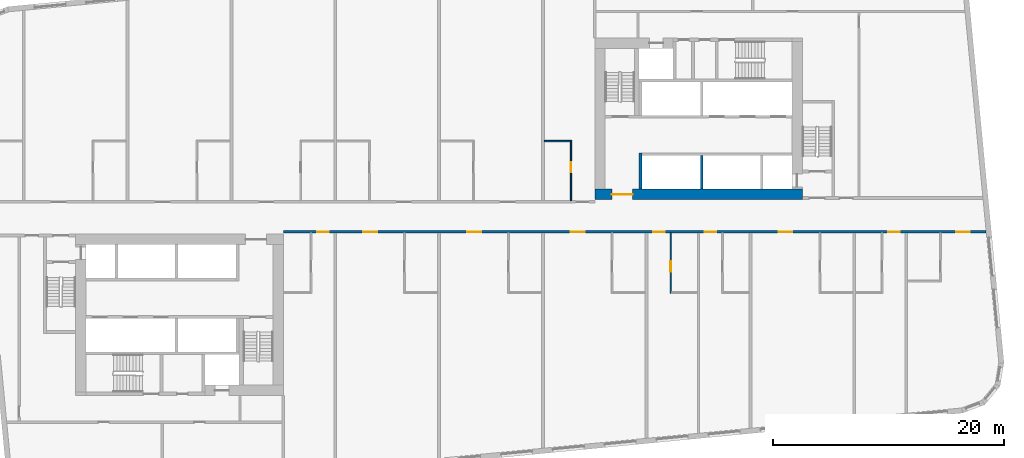
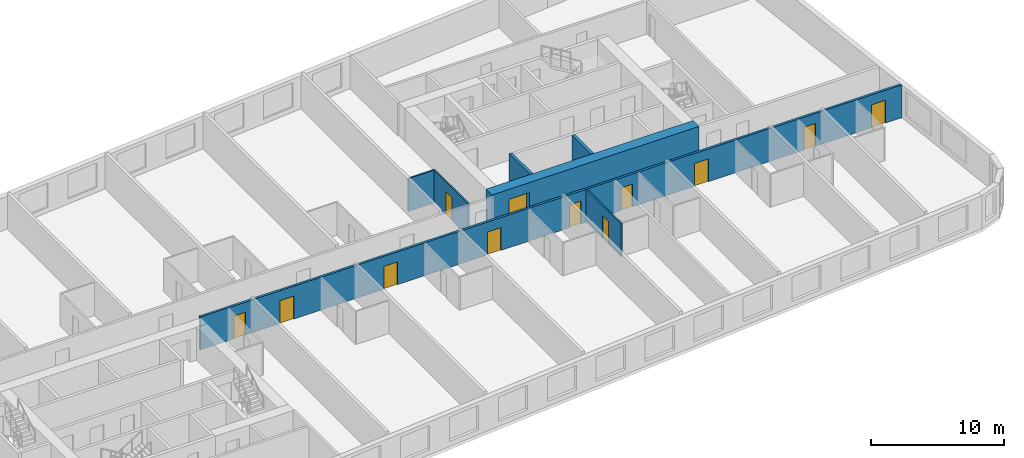
# One storey, part 5 of 12: 12 doors, 7 walls, 12 openings.
"""IFC4 building model written with IfcOpenShell, lengths in metres."""

from ifc_helpers import new_model, si_unit, direction, frame, frame_2d, origin, place, context, subcontext, project, spatial, rectangle, extrude, material, layer, layer_set, type_object, element, fill, save


model = new_model("IFC4")

# Units and contexts
model_context = context("Model", 3, precision=1e-05, world=origin(), true_north=direction((0.0, 1.0)))
body_context = subcontext(model_context, "Body", "Model", "MODEL_VIEW")
ifc_project = project(units=[si_unit("LENGTHUNIT", "METRE"), si_unit("AREAUNIT", "SQUARE_METRE"), si_unit("VOLUMEUNIT", "CUBIC_METRE"), si_unit("PLANEANGLEUNIT", "RADIAN"), si_unit("MASSUNIT", "GRAM", prefix="KILO")], contexts=[model_context])

# Site, building, storey
site_placement = place(None, origin())
site = spatial("IfcSite", under=ifc_project, at=site_placement, CompositionType="ELEMENT")
building_placement = place(site_placement, origin())
building = spatial("IfcBuilding", under=site, at=building_placement, Name="Kajstack Hotel Tower", CompositionType="ELEMENT")
storey_placement = place(building_placement, frame((0.0, 0.0, 143.800048828125)))
storey = spatial("IfcBuildingStorey", under=building, at=storey_placement, Name="L33", CompositionType="ELEMENT", Elevation=143.800048828125)

# Wall, opening, door
ifc_material_1 = material(Name="Concrete C60/75", Category="concrete")
ifc_layer_1 = layer(ifc_material_1, 0.89990234375)
ifc_layer_set_1 = layer_set([ifc_layer_1], Name="Core wall 900")
wall_type_1 = type_object("IfcWallType", Name="Core wall 900", PredefinedType="SHEAR", material=ifc_layer_set_1)
wall_1_placement = place(storey_placement, frame((13.5, 1.949951171875, 0.0), z_axis=(0.0, 0.0, 1.0), x_axis=(1.0, 0.0, 0.0)))
wall_1 = element("IfcWall", 1, at=wall_1_placement, inside=storey, type_object=wall_type_1, Name="Core wall E RN", PredefinedType="SHEAR", context=body_context, shape_type="SweptSolid", body=[
    extrude(rectangle(XDim=18.0, YDim=0.89990234375, at=frame_2d((9.0, 0.0))), origin(), (0.0, 0.0, 1.0), 3.02001953125),
])
opening_1_placement = place(wall_1_placement, frame((1.47509765625, 0.0, 0.0)))
opening_1 = element("IfcOpeningElement", 2, at=opening_1_placement, cuts=wall_1, Name="Opening 33E06", PredefinedType="OPENING", context=body_context, shape_type="SweptSolid", body=[
    extrude(rectangle(XDim=1.800048828125, YDim=2.10009765625, at=frame_2d((0.89990234375, 1.050048828125))), frame((0.0, 0.4599609375, 0.0), z_axis=(0.0, -1.0, 0.0), x_axis=(1.0, 0.0, 0.0)), (0.0, 0.0, 1.0), 0.919921875),
])
ifc_material_2 = material(Name="Glazed steel frame, fire-rated glass", Category="steel")
door_type_1 = type_object("IfcDoorType", Name="Lobby double door 1800", OperationType="DOUBLE_DOOR_DOUBLE_SWING", PredefinedType="DOOR", material=ifc_material_2)
door_1_placement = place(opening_1_placement, origin())
door_1 = element("IfcDoor", 3, at=door_1_placement, inside=storey, type_object=door_type_1, Name="Door 33E06", OperationType="DOUBLE_DOOR_DOUBLE_SWING", OverallHeight=2.10009765625, OverallWidth=1.800048828125, PredefinedType="DOOR", context=body_context, shape_type="SweptSolid", body=[
    extrude(rectangle(XDim=1.800048828125, YDim=2.10009765625, at=frame_2d((0.89990234375, 1.050048828125))), frame((0.0, 0.02490234375, 0.0), z_axis=(0.0, -1.0, 0.0), x_axis=(1.0, 0.0, 0.0)), (0.0, 0.0, 1.0), 0.050048828125),
])
fill(opening_1, door_1)

# Wall, openings, doors
ifc_material_3 = material(Name="Gypsum board on steel studs, mineral wool", Category="steel")
ifc_layer_2 = layer(ifc_material_3, 0.199951171875)
ifc_layer_set_2 = layer_set([ifc_layer_2], Name="Corridor wall 200")
wall_type_2 = type_object("IfcWallType", Name="Corridor wall 200", PredefinedType="PARTITIONING", material=ifc_layer_set_2)
wall_2_placement = place(storey_placement, frame((-13.5, -1.300048828125, 0.0), z_axis=(0.0, 0.0, 1.0), x_axis=(1.0, 0.0, 0.0)))
wall_2 = element("IfcWall", 4, at=wall_2_placement, inside=storey, type_object=wall_type_2, Name="G-wall-L33-018", PredefinedType="PARTITIONING", context=body_context, shape_type="SweptSolid", body=[
    extrude(rectangle(XDim=60.931884765625, YDim=0.199951171875, at=frame_2d((30.4658203125, 0.0))), origin(), (0.0, 0.0, 1.0), 3.02001953125),
])
opening_2_placement = place(wall_2_placement, frame((2.925048828125, 0.0, 0.0)))
opening_2 = element("IfcOpeningElement", 5, at=opening_2_placement, cuts=wall_2, Name="Opening 33015", PredefinedType="OPENING", context=body_context, shape_type="SweptSolid", body=[
    extrude(rectangle(XDim=1.0, YDim=2.10009765625, at=frame_2d((0.5, 1.050048828125))), frame((0.0, 0.10986328125, 0.0), z_axis=(0.0, -1.0, 0.0), x_axis=(1.0, 0.0, 0.0)), (0.0, 0.0, 1.0), 0.219970703125),
])
opening_3_placement = place(wall_2_placement, frame((6.93798828125, 0.0, 0.0)))
opening_3 = element("IfcOpeningElement", 6, at=opening_3_placement, cuts=wall_2, Name="Opening 33017", PredefinedType="OPENING", context=body_context, shape_type="SweptSolid", body=[
    extrude(rectangle(XDim=1.199951171875, YDim=2.10009765625, at=frame_2d((0.60009765625, 1.050048828125))), frame((0.0, 0.10986328125, 0.0), z_axis=(0.0, -1.0, 0.0), x_axis=(1.0, 0.0, 0.0)), (0.0, 0.0, 1.0), 0.219970703125),
])
opening_4_placement = place(wall_2_placement, frame((15.93798828125, 0.0, 0.0)))
opening_4 = element("IfcOpeningElement", 7, at=opening_4_placement, cuts=wall_2, Name="Opening 33019", PredefinedType="OPENING", context=body_context, shape_type="SweptSolid", body=[
    extrude(rectangle(XDim=1.199951171875, YDim=2.10009765625, at=frame_2d((0.60009765625, 1.050048828125))), frame((0.0, 0.10986328125, 0.0), z_axis=(0.0, -1.0, 0.0), x_axis=(1.0, 0.0, 0.0)), (0.0, 0.0, 1.0), 0.219970703125),
])
opening_5_placement = place(wall_2_placement, frame((24.93798828125, 0.0, 0.0)))
opening_5 = element("IfcOpeningElement", 8, at=opening_5_placement, cuts=wall_2, Name="Opening 33021", PredefinedType="OPENING", context=body_context, shape_type="SweptSolid", body=[
    extrude(rectangle(XDim=1.199951171875, YDim=2.10009765625, at=frame_2d((0.60009765625, 1.050048828125))), frame((0.0, 0.10986328125, 0.0), z_axis=(0.0, -1.0, 0.0), x_axis=(1.0, 0.0, 0.0)), (0.0, 0.0, 1.0), 0.219970703125),
])
opening_6_placement = place(wall_2_placement, frame((32.074951171875, 0.0, 0.0)))
opening_6 = element("IfcOpeningElement", 9, at=opening_6_placement, cuts=wall_2, Name="Opening 33023", PredefinedType="OPENING", context=body_context, shape_type="SweptSolid", body=[
    extrude(rectangle(XDim=1.0, YDim=2.10009765625, at=frame_2d((0.5, 1.050048828125))), frame((0.0, 0.10986328125, 0.0), z_axis=(0.0, -1.0, 0.0), x_axis=(1.0, 0.0, 0.0)), (0.0, 0.0, 1.0), 0.219970703125),
])
opening_7_placement = place(wall_2_placement, frame((36.550048828125, 0.0, 0.0)))
opening_7 = element("IfcOpeningElement", 10, at=opening_7_placement, cuts=wall_2, Name="Opening 33025", PredefinedType="OPENING", context=body_context, shape_type="SweptSolid", body=[
    extrude(rectangle(XDim=1.0, YDim=2.10009765625, at=frame_2d((0.5, 1.050048828125))), frame((0.0, 0.10986328125, 0.0), z_axis=(0.0, -1.0, 0.0), x_axis=(1.0, 0.0, 0.0)), (0.0, 0.0, 1.0), 0.219970703125),
])
opening_8_placement = place(wall_2_placement, frame((42.93798828125, 0.0, 0.0)))
opening_8 = element("IfcOpeningElement", 11, at=opening_8_placement, cuts=wall_2, Name="Opening 33027", PredefinedType="OPENING", context=body_context, shape_type="SweptSolid", body=[
    extrude(rectangle(XDim=1.199951171875, YDim=2.10009765625, at=frame_2d((0.60009765625, 1.050048828125))), frame((0.0, 0.10986328125, 0.0), z_axis=(0.0, -1.0, 0.0), x_axis=(1.0, 0.0, 0.0)), (0.0, 0.0, 1.0), 0.219970703125),
])
opening_9_placement = place(wall_2_placement, frame((52.425048828125, 0.0, 0.0)))
opening_9 = element("IfcOpeningElement", 12, at=opening_9_placement, cuts=wall_2, Name="Opening 33029", PredefinedType="OPENING", context=body_context, shape_type="SweptSolid", body=[
    extrude(rectangle(XDim=1.0, YDim=2.10009765625, at=frame_2d((0.5, 1.050048828125))), frame((0.0, 0.10986328125, 0.0), z_axis=(0.0, -1.0, 0.0), x_axis=(1.0, 0.0, 0.0)), (0.0, 0.0, 1.0), 0.219970703125),
])
opening_10_placement = place(wall_2_placement, frame((58.31591796875, 0.0, 0.0)))
opening_10 = element("IfcOpeningElement", 13, at=opening_10_placement, cuts=wall_2, Name="Opening 33031", PredefinedType="OPENING", context=body_context, shape_type="SweptSolid", body=[
    extrude(rectangle(XDim=1.199951171875, YDim=2.10009765625, at=frame_2d((0.60009765625, 1.050048828125))), frame((0.0, 0.10986328125, 0.0), z_axis=(0.0, -1.0, 0.0), x_axis=(1.0, 0.0, 0.0)), (0.0, 0.0, 1.0), 0.219970703125),
])
ifc_material_4 = material(Name="Oak veneer on timber core, fire-rated leaf", Category="wood")
door_type_2 = type_object("IfcDoorType", Name="Flat entrance door 1000", OperationType="SINGLE_SWING_LEFT", PredefinedType="DOOR", material=ifc_material_4)
door_2_placement = place(opening_2_placement, origin())
door_2 = element("IfcDoor", 14, at=door_2_placement, inside=storey, type_object=door_type_2, Name="G-door-L33-15", OperationType="SINGLE_SWING_RIGHT", OverallHeight=2.10009765625, OverallWidth=1.0, PredefinedType="DOOR", context=body_context, shape_type="SweptSolid", body=[
    extrude(rectangle(XDim=1.0, YDim=2.10009765625, at=frame_2d((0.5, 1.050048828125))), frame((0.0, 0.02490234375, 0.0), z_axis=(0.0, -1.0, 0.0), x_axis=(1.0, 0.0, 0.0)), (0.0, 0.0, 1.0), 0.050048828125),
])
fill(opening_2, door_2)
door_3_placement = place(opening_6_placement, origin())
door_3 = element("IfcDoor", 15, at=door_3_placement, inside=storey, type_object=door_type_2, Name="G-door-L33-23", OperationType="SINGLE_SWING_RIGHT", OverallHeight=2.10009765625, OverallWidth=1.0, PredefinedType="DOOR", context=body_context, shape_type="SweptSolid", body=[
    extrude(rectangle(XDim=1.0, YDim=2.10009765625, at=frame_2d((0.5, 1.050048828125))), frame((0.0, 0.02490234375, 0.0), z_axis=(0.0, -1.0, 0.0), x_axis=(1.0, 0.0, 0.0)), (0.0, 0.0, 1.0), 0.050048828125),
])
fill(opening_6, door_3)
door_4_placement = place(opening_7_placement, origin())
door_4 = element("IfcDoor", 16, at=door_4_placement, inside=storey, type_object=door_type_2, Name="G-door-L33-25", OperationType="SINGLE_SWING_RIGHT", OverallHeight=2.10009765625, OverallWidth=1.0, PredefinedType="DOOR", context=body_context, shape_type="SweptSolid", body=[
    extrude(rectangle(XDim=1.0, YDim=2.10009765625, at=frame_2d((0.5, 1.050048828125))), frame((0.0, 0.02490234375, 0.0), z_axis=(0.0, -1.0, 0.0), x_axis=(1.0, 0.0, 0.0)), (0.0, 0.0, 1.0), 0.050048828125),
])
fill(opening_7, door_4)
door_5_placement = place(opening_9_placement, origin())
door_5 = element("IfcDoor", 17, at=door_5_placement, inside=storey, type_object=door_type_2, Name="G-door-L33-29", OperationType="SINGLE_SWING_RIGHT", OverallHeight=2.10009765625, OverallWidth=1.0, PredefinedType="DOOR", context=body_context, shape_type="SweptSolid", body=[
    extrude(rectangle(XDim=1.0, YDim=2.10009765625, at=frame_2d((0.5, 1.050048828125))), frame((0.0, 0.02490234375, 0.0), z_axis=(0.0, -1.0, 0.0), x_axis=(1.0, 0.0, 0.0)), (0.0, 0.0, 1.0), 0.050048828125),
])
fill(opening_9, door_5)
door_type_3 = type_object("IfcDoorType", Name="Flat entrance door 1200", OperationType="SINGLE_SWING_LEFT", PredefinedType="DOOR", material=ifc_material_4)
door_6_placement = place(opening_3_placement, origin())
door_6 = element("IfcDoor", 18, at=door_6_placement, inside=storey, type_object=door_type_3, Name="G-door-L33-17", OperationType="SINGLE_SWING_RIGHT", OverallHeight=2.10009765625, OverallWidth=1.199951171875, PredefinedType="DOOR", context=body_context, shape_type="SweptSolid", body=[
    extrude(rectangle(XDim=1.199951171875, YDim=2.10009765625, at=frame_2d((0.60009765625, 1.050048828125))), frame((0.0, 0.02490234375, 0.0), z_axis=(0.0, -1.0, 0.0), x_axis=(1.0, 0.0, 0.0)), (0.0, 0.0, 1.0), 0.050048828125),
])
fill(opening_3, door_6)
door_7_placement = place(opening_4_placement, origin())
door_7 = element("IfcDoor", 19, at=door_7_placement, inside=storey, type_object=door_type_3, Name="G-door-L33-19", OperationType="SINGLE_SWING_RIGHT", OverallHeight=2.10009765625, OverallWidth=1.199951171875, PredefinedType="DOOR", context=body_context, shape_type="SweptSolid", body=[
    extrude(rectangle(XDim=1.199951171875, YDim=2.10009765625, at=frame_2d((0.60009765625, 1.050048828125))), frame((0.0, 0.02490234375, 0.0), z_axis=(0.0, -1.0, 0.0), x_axis=(1.0, 0.0, 0.0)), (0.0, 0.0, 1.0), 0.050048828125),
])
fill(opening_4, door_7)
door_8_placement = place(opening_5_placement, origin())
door_8 = element("IfcDoor", 20, at=door_8_placement, inside=storey, type_object=door_type_3, Name="G-door-L33-21", OperationType="SINGLE_SWING_RIGHT", OverallHeight=2.10009765625, OverallWidth=1.199951171875, PredefinedType="DOOR", context=body_context, shape_type="SweptSolid", body=[
    extrude(rectangle(XDim=1.199951171875, YDim=2.10009765625, at=frame_2d((0.60009765625, 1.050048828125))), frame((0.0, 0.02490234375, 0.0), z_axis=(0.0, -1.0, 0.0), x_axis=(1.0, 0.0, 0.0)), (0.0, 0.0, 1.0), 0.050048828125),
])
fill(opening_5, door_8)
door_9_placement = place(opening_8_placement, origin())
door_9 = element("IfcDoor", 21, at=door_9_placement, inside=storey, type_object=door_type_3, Name="G-door-L33-27", OperationType="SINGLE_SWING_LEFT", OverallHeight=2.10009765625, OverallWidth=1.199951171875, PredefinedType="DOOR", context=body_context, shape_type="SweptSolid", body=[
    extrude(rectangle(XDim=1.199951171875, YDim=2.10009765625, at=frame_2d((0.60009765625, 1.050048828125))), frame((0.0, 0.02490234375, 0.0), z_axis=(0.0, -1.0, 0.0), x_axis=(1.0, 0.0, 0.0)), (0.0, 0.0, 1.0), 0.050048828125),
])
fill(opening_8, door_9)
door_10_placement = place(opening_10_placement, origin())
door_10 = element("IfcDoor", 22, at=door_10_placement, inside=storey, type_object=door_type_3, Name="G-door-L33-31", OperationType="SINGLE_SWING_LEFT", OverallHeight=2.10009765625, OverallWidth=1.199951171875, PredefinedType="DOOR", context=body_context, shape_type="SweptSolid", body=[
    extrude(rectangle(XDim=1.199951171875, YDim=2.10009765625, at=frame_2d((0.60009765625, 1.050048828125))), frame((0.0, 0.02490234375, 0.0), z_axis=(0.0, -1.0, 0.0), x_axis=(1.0, 0.0, 0.0)), (0.0, 0.0, 1.0), 0.050048828125),
])
fill(opening_10, door_10)

# Wall, opening, door
ifc_material_5 = material(Name="Gypsum board and tiled backer on steel studs", Category="steel")
ifc_layer_3 = layer(ifc_material_5, 0.125)
ifc_layer_set_3 = layer_set([ifc_layer_3], Name="En-suite wall 125")
wall_type_3 = type_object("IfcWallType", Name="En-suite wall 125", PredefinedType="PARTITIONING", material=ifc_layer_set_3)
wall_3_placement = place(storey_placement, frame((11.43798828125, 1.39990234375, 0.0), z_axis=(0.0, 0.0, 1.0), x_axis=(0.0, 1.0, 0.0)))
wall_3 = element("IfcWall", 23, at=wall_3_placement, inside=storey, type_object=wall_type_3, Name="G-wall-L33-016", PredefinedType="PARTITIONING", context=body_context, shape_type="SweptSolid", body=[
    extrude(rectangle(XDim=5.22509765625, YDim=0.125, at=frame_2d((2.612548828125, 0.0))), origin(), (0.0, 0.0, 1.0), 3.02001953125),
])
opening_11_placement = place(wall_3_placement, frame((2.449951171875, 0.0, 0.0)))
opening_11 = element("IfcOpeningElement", 24, at=opening_11_placement, cuts=wall_3, Name="Opening 33014", PredefinedType="OPENING", context=body_context, shape_type="SweptSolid", body=[
    extrude(rectangle(XDim=0.89990234375, YDim=2.10009765625, at=frame_2d((0.449951171875, 1.050048828125))), frame((0.0, 0.072509765625, 0.0), z_axis=(0.0, -1.0, 0.0), x_axis=(1.0, 0.0, 0.0)), (0.0, 0.0, 1.0), 0.14501953125),
])
ifc_material_6 = material(Name="Painted timber door leaf", Category="wood")
door_type_4 = type_object("IfcDoorType", Name="Room door 900", OperationType="SINGLE_SWING_LEFT", PredefinedType="DOOR", material=ifc_material_6)
door_11_placement = place(opening_11_placement, origin())
door_11 = element("IfcDoor", 25, at=door_11_placement, inside=storey, type_object=door_type_4, Name="G-door-L33-14", OperationType="SINGLE_SWING_RIGHT", OverallHeight=2.10009765625, OverallWidth=0.89990234375, PredefinedType="DOOR", context=body_context, shape_type="SweptSolid", body=[
    extrude(rectangle(XDim=0.89990234375, YDim=2.10009765625, at=frame_2d((0.449951171875, 1.050048828125))), frame((0.0, 0.02490234375, 0.0), z_axis=(0.0, -1.0, 0.0), x_axis=(1.0, 0.0, 0.0)), (0.0, 0.0, 1.0), 0.050048828125),
])
fill(opening_11, door_11)

# Wall
wall_4_placement = place(storey_placement, frame((9.125, 6.56201171875, 0.0), z_axis=(0.0, 0.0, 1.0), x_axis=(1.0, 0.0, 0.0)))
element("IfcWall", 26, at=wall_4_placement, inside=storey, type_object=wall_type_3, Name="G-wall-L33-017", PredefinedType="PARTITIONING", context=body_context, shape_type="SweptSolid", body=[
    extrude(rectangle(XDim=2.25, YDim=0.125, at=frame_2d((1.125, 0.0))), origin(), (0.0, 0.0, 1.0), 3.02001953125),
])

# Wall, opening, door
wall_5_placement = place(storey_placement, frame((20.0869140625, -6.625, 0.0), z_axis=(0.0, 0.0, 1.0), x_axis=(0.0, 1.0, 0.0)))
wall_5 = element("IfcWall", 27, at=wall_5_placement, inside=storey, type_object=wall_type_3, Name="G-wall-L33-028", PredefinedType="PARTITIONING", context=body_context, shape_type="SweptSolid", body=[
    extrude(rectangle(XDim=5.22509765625, YDim=0.125, at=frame_2d((2.612548828125, 0.0))), origin(), (0.0, 0.0, 1.0), 3.02001953125),
])
opening_12_placement = place(wall_5_placement, frame((1.875, 0.0, 0.0)))
opening_12 = element("IfcOpeningElement", 28, at=opening_12_placement, cuts=wall_5, Name="Opening 33024", PredefinedType="OPENING", context=body_context, shape_type="SweptSolid", body=[
    extrude(rectangle(XDim=0.89990234375, YDim=2.10009765625, at=frame_2d((0.449951171875, 1.050048828125))), frame((0.0, 0.072509765625, 0.0), z_axis=(0.0, -1.0, 0.0), x_axis=(1.0, 0.0, 0.0)), (0.0, 0.0, 1.0), 0.14501953125),
])
door_12_placement = place(opening_12_placement, origin())
door_12 = element("IfcDoor", 29, at=door_12_placement, inside=storey, type_object=door_type_4, Name="G-door-L33-24", OperationType="SINGLE_SWING_LEFT", OverallHeight=2.10009765625, OverallWidth=0.89990234375, PredefinedType="DOOR", context=body_context, shape_type="SweptSolid", body=[
    extrude(rectangle(XDim=0.89990234375, YDim=2.10009765625, at=frame_2d((0.449951171875, 1.050048828125))), frame((0.0, 0.02490234375, 0.0), z_axis=(0.0, -1.0, 0.0), x_axis=(1.0, 0.0, 0.0)), (0.0, 0.0, 1.0), 0.050048828125),
])
fill(opening_12, door_12)

# Walls
ifc_material_7 = material(Name="Concrete C50/60", Category="concrete")
ifc_layer_4 = layer(ifc_material_7, 0.300048828125)
ifc_layer_set_4 = layer_set([ifc_layer_4], Name="Hoistway divider wall 300")
wall_type_4 = type_object("IfcWallType", Name="Hoistway divider wall 300", PredefinedType="SHEAR", material=ifc_layer_set_4)
wall_6_placement = place(storey_placement, frame((22.77490234375, 2.39990234375, 0.0), z_axis=(0.0, 0.0, 1.0), x_axis=(0.0, 1.0, 0.0)))
element("IfcWall", 30, at=wall_6_placement, inside=storey, type_object=wall_type_4, Name="Core wall E AP2", PredefinedType="SHEAR", context=body_context, shape_type="SweptSolid", body=[
    extrude(rectangle(XDim=2.900146484375, YDim=0.25, at=frame_2d((1.4501953125, 0.0))), origin(), (0.0, 0.0, 1.0), 3.02001953125),
])
ifc_layer_5 = layer(ifc_material_7, 0.25)
ifc_layer_set_5 = layer_set([ifc_layer_5], Name="Shaft wall 250")
wall_type_5 = type_object("IfcWallType", Name="Shaft wall 250", PredefinedType="SHEAR", material=ifc_layer_set_5)
wall_7_placement = place(storey_placement, frame((17.47509765625, 2.39990234375, 0.0), z_axis=(0.0, 0.0, 1.0), x_axis=(0.0, 1.0, 0.0)))
element("IfcWall", 31, at=wall_7_placement, inside=storey, type_object=wall_type_5, Name="Core wall E AE", PredefinedType="SHEAR", context=body_context, shape_type="SweptSolid", body=[
    extrude(rectangle(XDim=3.150146484375, YDim=0.25, at=frame_2d((1.5751953125, 0.0))), origin(), (0.0, 0.0, 1.0), 3.02001953125),
])

save(model, "model.ifc")
